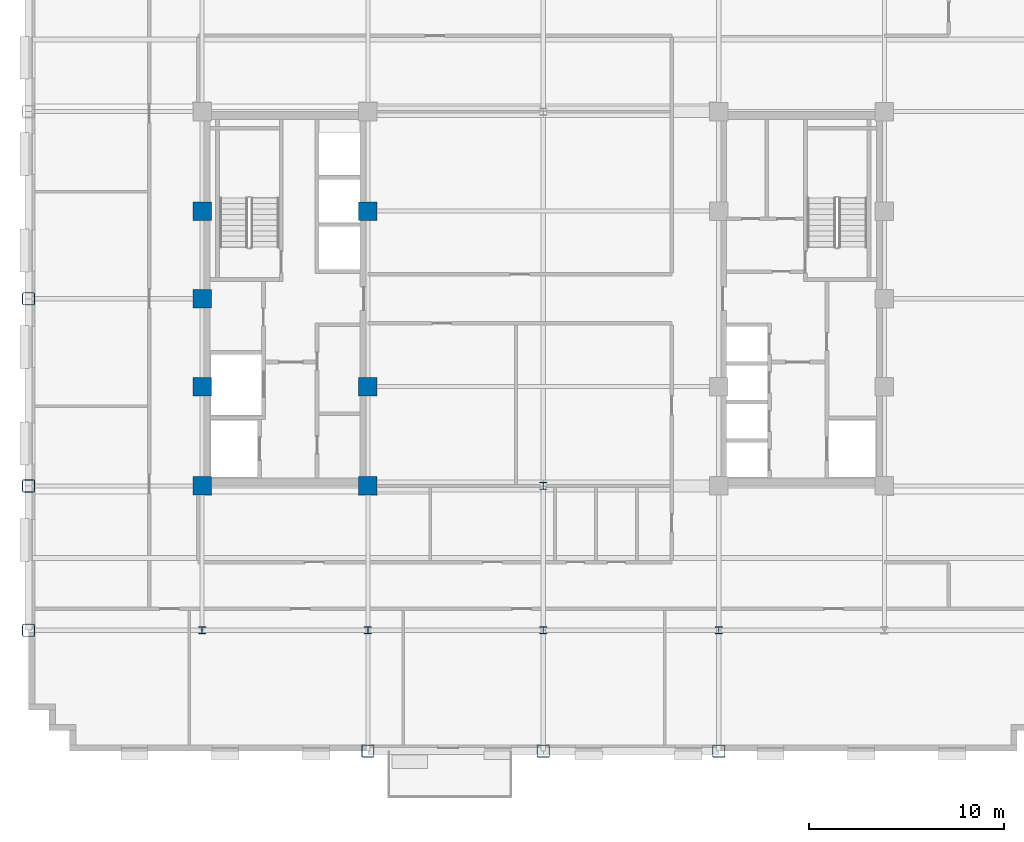
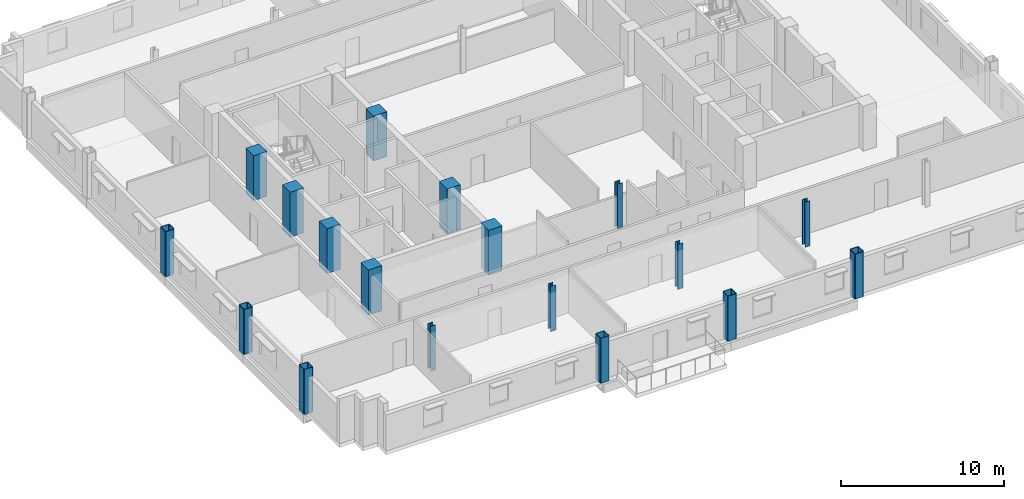
# One storey, part 1 of 13: 18 columns.
"""IFC4 building model written with IfcOpenShell, lengths in metres."""

from ifc_helpers import new_model, si_unit, direction, frame, origin, origin_2d, place, context, subcontext, project, spatial, rectangle, hollow_rectangle, i_section, extrude, material, material_profile, profile_set, type_object, element, save


model = new_model("IFC4")

# Units and contexts
model_context = context("Model", 3, precision=1e-05, world=origin(), true_north=direction((0.0, 1.0)))
body_context = subcontext(model_context, "Body", "Model", "MODEL_VIEW")
ifc_project = project(units=[si_unit("LENGTHUNIT", "METRE"), si_unit("AREAUNIT", "SQUARE_METRE"), si_unit("VOLUMEUNIT", "CUBIC_METRE"), si_unit("PLANEANGLEUNIT", "RADIAN"), si_unit("MASSUNIT", "GRAM", prefix="KILO")], contexts=[model_context])

# Site, building, storey
site_placement = place(None, origin())
site = spatial("IfcSite", under=ifc_project, at=site_placement, CompositionType="ELEMENT")
building_placement = place(site_placement, origin())
building = spatial("IfcBuilding", under=site, at=building_placement, Name="Nuvemarco Arch Tower", CompositionType="ELEMENT")
storey_placement = place(building_placement, frame((0.0, 0.0, 149.39990234375)))
storey = spatial("IfcBuildingStorey", under=building, at=storey_placement, Name="L39", CompositionType="ELEMENT", Elevation=149.39990234375)

# Columns
ifc_material_1 = material(Name="Concrete C50/60", Category="concrete")
ifc_material_profile_1 = material_profile(ifc_material_1, rectangle(XDim=0.949951171875, YDim=0.949951171875, at=origin_2d()), Name="RC-COL-950x950")
ifc_profile_set_1 = profile_set([ifc_material_profile_1], Name="Concrete C50/60")
column_type_1 = type_object("IfcColumnType", Name="COL-CORE-950", PredefinedType="COLUMN", material=ifc_profile_set_1)
for number, where, z_axis, x_axis, name in (
    (1, (-17.5, -9.60009765625, 0.0), (0.0, 0.0, 1.0), (1.0, 0.0, 0.0), "L39 column CC_-17.5_-9.6"),
    (2, (-17.5, -4.5, 0.0), (0.0, 0.0, 1.0), (1.0, 0.0, 0.0), "L39 column CC_-17.5_-4.5"),
    (3, (-17.5, 4.5, 0.0), (0.0, 0.0, 1.0), (1.0, 0.0, 0.0), "L39 column CC_-17.5_+4.5"),
    (4, (-9.0, -9.60009765625, 0.0), (0.0, 0.0, 1.0), (1.0, 0.0, 0.0), "L39 column CC_-9.0_-9.6"),
    (5, (-9.0, -4.5, 0.0), (0.0, 0.0, 1.0), (1.0, 0.0, 0.0), "L39 column CC_-9.0_-4.5"),
    (6, (-9.0, 4.5, 0.0), (0.0, 0.0, 1.0), (1.0, 0.0, 0.0), "L39 column CC_-9.0_+4.5"),
    (7, (-17.5, 0.0, 0.0), (0.0, 0.0, 1.0), (1.0, 0.0, 0.0), "L39 column CC_-17.5_+0.0"),
):
    element("IfcColumn", number, at=place(storey_placement, frame(where, z_axis=z_axis, x_axis=x_axis)), inside=storey, type_object=column_type_1, Name=name, PredefinedType="COLUMN", context=body_context, shape_type="SweptSolid", body=[
        extrude(rectangle(XDim=0.949951171875, YDim=0.949951171875, at=origin_2d()), origin(), (0.0, 0.0, 1.0), 3.3701171875),
    ])
ifc_material_2 = material(Name="Steel S355", Category="steel")
ifc_material_profile_2 = material_profile(ifc_material_2, hollow_rectangle(XDim=0.64990234375, YDim=0.64990234375, WallThickness=0.0400390625, InnerFilletRadius=0.0400390625, OuterFilletRadius=0.080078125, at=origin_2d()), Name="SHS650x650x40")
ifc_profile_set_2 = profile_set([ifc_material_profile_2], Name="Steel S355")
column_type_2 = type_object("IfcColumnType", Name="COL-EXO-650", PredefinedType="COLUMN", material=ifc_profile_set_2)
for number, where, z_axis, x_axis, name in (
    (8, (-26.39990234375, -17.0, 0.0), (0.0, 0.0, 1.0), (1.0, 0.0, 0.0), "L39 column CX_-26.4_-17.0"),
    (9, (-26.39990234375, -9.60009765625, 0.0), (0.0, 0.0, 1.0), (1.0, 0.0, 0.0), "L39 column CX_-26.4_-9.6"),
    (10, (-26.39990234375, 0.0, 0.0), (0.0, 0.0, 1.0), (1.0, 0.0, 0.0), "L39 column CX_-26.4_+0.0"),
    (11, (-9.0, -23.199951171875, 0.0), (0.0, 0.0, 1.0), (1.0, 0.0, 0.0), "L39 column CY_-9.0_-23.2"),
    (12, (0.0, -23.199951171875, 0.0), (0.0, 0.0, 1.0), (1.0, 0.0, 0.0), "L39 column CY_+0.0_-23.2"),
    (13, (9.0, -23.199951171875, 0.0), (0.0, 0.0, 1.0), (1.0, 0.0, 0.0), "L39 column CY_+9.0_-23.2"),
):
    element("IfcColumn", number, at=place(storey_placement, frame(where, z_axis=z_axis, x_axis=x_axis)), inside=storey, type_object=column_type_2, Name=name, PredefinedType="COLUMN", context=body_context, shape_type="SweptSolid", body=[
        extrude(hollow_rectangle(XDim=0.64990234375, YDim=0.64990234375, WallThickness=0.0400390625, InnerFilletRadius=0.0400390625, OuterFilletRadius=0.080078125, at=origin_2d()), origin(), (0.0, 0.0, 1.0), 3.3701171875),
    ])
ifc_material_profile_3 = material_profile(ifc_material_2, i_section(OverallWidth=0.360107421875, OverallDepth=0.360107421875, WebThickness=0.0205078125, FlangeThickness=0.0205078125, FilletRadius=0.01806640625, at=origin_2d()), Name="HP360x174")
ifc_profile_set_3 = profile_set([ifc_material_profile_3], Name="Steel S355")
column_type_3 = type_object("IfcColumnType", Name="COL-STL-HP360", PredefinedType="COLUMN", material=ifc_profile_set_3)
for number, where, z_axis, x_axis, name in (
    (14, (0.0, -17.0, 0.0), (0.0, 0.0, 1.0), (1.0, 0.0, 0.0), "L39 column CI_+0.0_-17.0"),
    (15, (0.0, -9.60009765625, 0.0), (0.0, 0.0, 1.0), (1.0, 0.0, 0.0), "L39 column CI_+0.0_-9.6"),
    (16, (-17.5, -17.0, 0.0), (0.0, 0.0, 1.0), (1.0, 0.0, 0.0), "L39 column CI_-17.5_-17.0"),
    (17, (-9.0, -17.0, 0.0), (0.0, 0.0, 1.0), (1.0, 0.0, 0.0), "L39 column CI_-9.0_-17.0"),
    (18, (9.0, -17.0, 0.0), (0.0, 0.0, 1.0), (1.0, 0.0, 0.0), "L39 column CI_+9.0_-17.0"),
):
    element("IfcColumn", number, at=place(storey_placement, frame(where, z_axis=z_axis, x_axis=x_axis)), inside=storey, type_object=column_type_3, Name=name, PredefinedType="COLUMN", context=body_context, shape_type="SweptSolid", body=[
        extrude(i_section(OverallWidth=0.360107421875, OverallDepth=0.360107421875, WebThickness=0.0205078125, FlangeThickness=0.0205078125, FilletRadius=0.01806640625, at=origin_2d()), origin(), (0.0, 0.0, 1.0), 3.3701171875),
    ])

save(model, "model.ifc")
